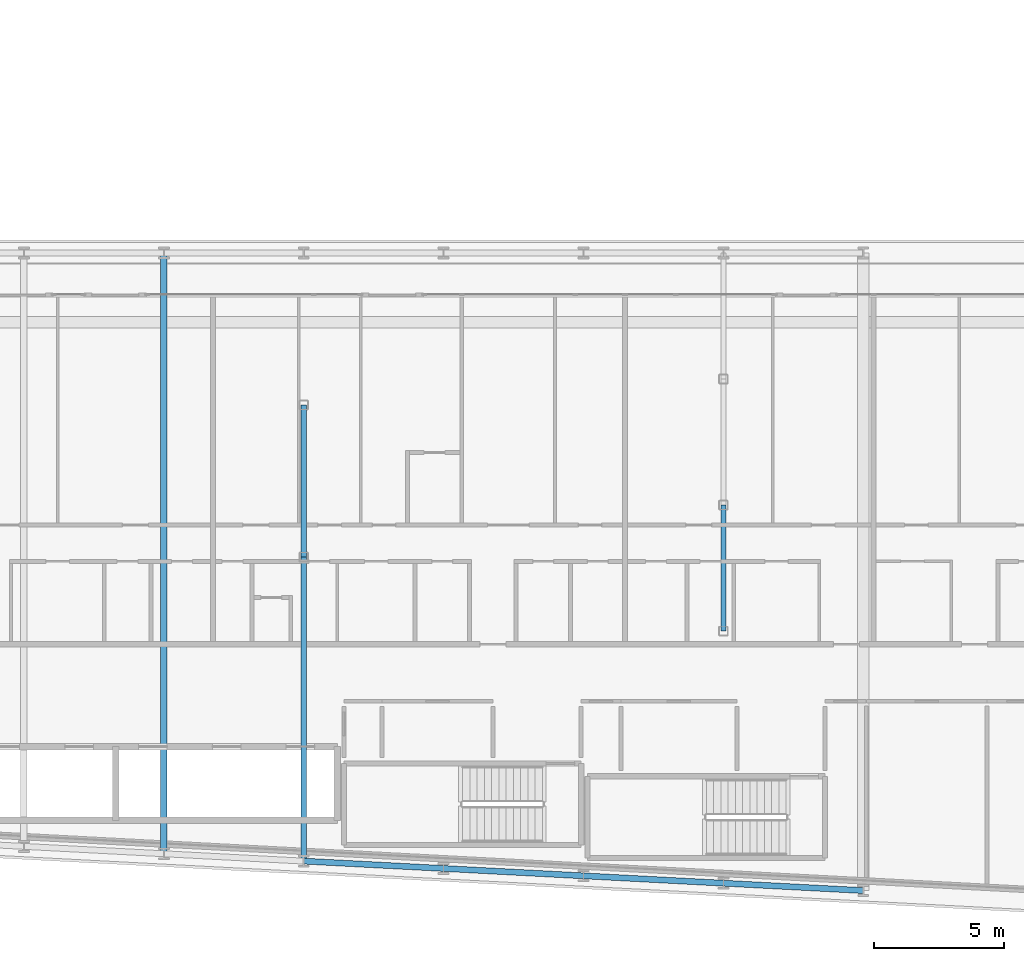
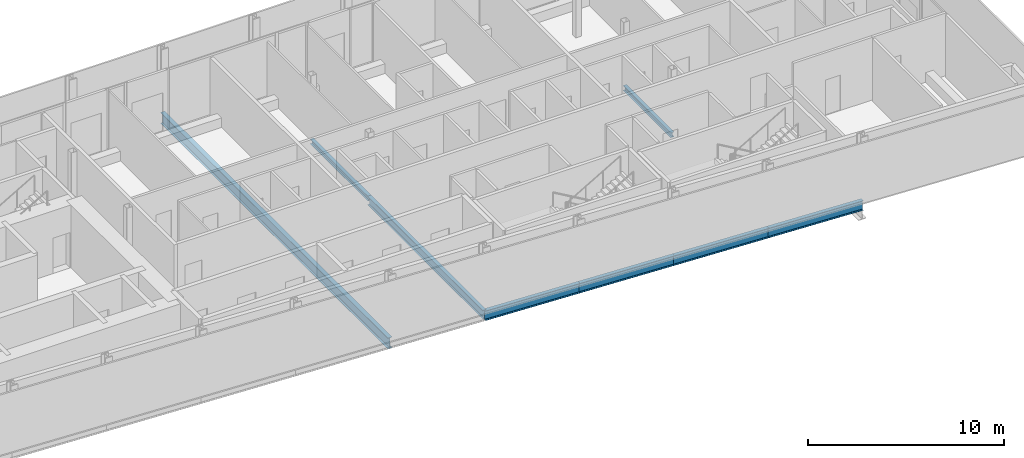
# One storey, part 5 of 28: 8 beams.
"""IFC4 building model written with IfcOpenShell, lengths in metres."""

from ifc_helpers import new_model, si_unit, direction, frame, origin, origin_2d, place, context, subcontext, project, spatial, i_section, extrude, material, material_profile, profile_set, type_object, element, save


model = new_model("IFC4")

# Units and contexts
model_context = context("Model", 3, precision=1e-05, world=origin(), true_north=direction((0.0, 1.0)))
body_context = subcontext(model_context, "Body", "Model", "MODEL_VIEW")
ifc_project = project(units=[si_unit("LENGTHUNIT", "METRE"), si_unit("AREAUNIT", "SQUARE_METRE"), si_unit("VOLUMEUNIT", "CUBIC_METRE"), si_unit("PLANEANGLEUNIT", "RADIAN"), si_unit("MASSUNIT", "GRAM", prefix="KILO")], contexts=[model_context])

# Site, building, storey
site_placement = place(None, origin())
site = spatial("IfcSite", under=ifc_project, at=site_placement, CompositionType="ELEMENT")
building_placement = place(site_placement, origin())
building = spatial("IfcBuilding", under=site, at=building_placement, Name="Kheshtan School and Residences Tower", CompositionType="ELEMENT")
storey_placement = place(building_placement, frame((0.0, 0.0, 133.10009765625)))
storey = spatial("IfcBuildingStorey", under=building, at=storey_placement, Name="L31", CompositionType="ELEMENT", Elevation=133.10009765625)

# Beams
ifc_material = material(Name="Steel ASTM A992 Grade 50", Category="steel")
ifc_material_profile_1 = material_profile(ifc_material, i_section(OverallWidth=0.202880859375, OverallDepth=0.302978515625, WebThickness=0.007568359375, FlangeThickness=0.01318359375, FilletRadius=0.009033203125, at=origin_2d()), Name="W310x60")
ifc_profile_set_1 = profile_set([ifc_material_profile_1], Name="Steel ASTM A992 Grade 50")
beam_type_1 = type_object("IfcBeamType", Name="Beam FB1 W310x60 ASTM A992 Grade 50", PredefinedType="BEAM", material=ifc_profile_set_1)
beam_1_placement = place(storey_placement, frame((85.39990234375, 31.0048828125, -0.301513671875), z_axis=(0.0, 1.0, 0.0), x_axis=(-1.0, 0.0, 0.0)))
element("IfcBeam", 1, at=beam_1_placement, inside=storey, type_object=beam_type_1, Name="Floor beam IC", PredefinedType="BEAM", context=body_context, shape_type="SweptSolid", body=[
    extrude(i_section(OverallWidth=0.202880859375, OverallDepth=0.302978515625, WebThickness=0.007568359375, FlangeThickness=0.01318359375, FilletRadius=0.009033203125, at=origin_2d()), origin(), (0.0, 0.0, 1.0), 4.865234375),
])
beam_2_placement = place(storey_placement, frame((69.199951171875, 33.863037109375, -0.301513671875), z_axis=(0.0, 1.0, 0.0), x_axis=(-1.0, 0.0, 0.0)))
element("IfcBeam", 2, at=beam_2_placement, inside=storey, type_object=beam_type_1, Name="Floor beam IC", PredefinedType="BEAM", context=body_context, shape_type="SweptSolid", body=[
    extrude(i_section(OverallWidth=0.202880859375, OverallDepth=0.302978515625, WebThickness=0.007568359375, FlangeThickness=0.01318359375, FilletRadius=0.009033203125, at=origin_2d()), origin(), (0.0, 0.0, 1.0), 5.868896484375),
])
ifc_material_profile_2 = material_profile(ifc_material, i_section(OverallWidth=0.208984375, OverallDepth=0.532958984375, WebThickness=0.01025390625, FlangeThickness=0.015625, FilletRadius=0.013916015625, at=origin_2d()), Name="W530x92")
ifc_profile_set_2 = profile_set([ifc_material_profile_2], Name="Steel ASTM A992 Grade 50")
beam_type_2 = type_object("IfcBeamType", Name="Beam FB4 W530x92 ASTM A992 Grade 50", PredefinedType="BEAM", material=ifc_profile_set_2)
beam_3_placement = place(storey_placement, frame((69.199951171875, 22.126953125, -0.41650390625), z_axis=(0.0, 1.0, 0.0), x_axis=(-1.0, 0.0, 0.0)))
element("IfcBeam", 3, at=beam_3_placement, inside=storey, type_object=beam_type_2, Name="Floor beam C014", PredefinedType="BEAM", context=body_context, shape_type="SweptSolid", body=[
    extrude(i_section(OverallWidth=0.208984375, OverallDepth=0.532958984375, WebThickness=0.01025390625, FlangeThickness=0.015625, FilletRadius=0.013916015625, at=origin_2d()), origin(), (0.0, 0.0, 1.0), 11.736083984375),
])
ifc_material_profile_3 = material_profile(ifc_material, i_section(OverallWidth=0.2529296875, OverallDepth=0.677978515625, WebThickness=0.01171875, FlangeThickness=0.016357421875, FilletRadius=0.0146484375, at=origin_2d()), Name="W690x125")
ifc_profile_set_3 = profile_set([ifc_material_profile_3], Name="Steel ASTM A992 Grade 50")
beam_type_3 = type_object("IfcBeamType", Name="Beam FB6 W690x125 ASTM A992 Grade 50", PredefinedType="BEAM", material=ifc_profile_set_3)
beam_4_placement = place(storey_placement, frame((63.800048828125, 45.60009765625, -0.489013671875), z_axis=(0.0, -1.0, 0.0), x_axis=(1.0, 0.0, 0.0)))
element("IfcBeam", 4, at=beam_4_placement, inside=storey, type_object=beam_type_3, Name="Floor beam C063", PredefinedType="BEAM", context=body_context, shape_type="SweptSolid", body=[
    extrude(i_section(OverallWidth=0.2529296875, OverallDepth=0.677978515625, WebThickness=0.01171875, FlangeThickness=0.016357421875, FilletRadius=0.0146484375, at=origin_2d()), origin(), (0.0, 0.0, 1.0), 23.189208984375),
])
ifc_material_profile_4 = material_profile(ifc_material, i_section(OverallWidth=0.22802734375, OverallDepth=0.60302734375, WebThickness=0.010498046875, FlangeThickness=0.014892578125, FilletRadius=0.013427734375, at=origin_2d()), Name="W610x101")
ifc_profile_set_4 = profile_set([ifc_material_profile_4], Name="Steel ASTM A992 Grade 50")
beam_type_4 = type_object("IfcBeamType", Name="Beam SP2 W610x101 ASTM A992 Grade 50", PredefinedType="BEAM", material=ifc_profile_set_4)
beam_5_placement = place(storey_placement, frame((90.800048828125, 20.989990234375, -0.45166015625), z_axis=(-0.998620571751, 0.05250670125, 0.0), x_axis=(-0.05250670125, -0.998620571751, 0.0)))
element("IfcBeam", 5, at=beam_5_placement, inside=storey, type_object=beam_type_4, Name="Spandrel beam C006-C008", PredefinedType="BEAM", context=body_context, shape_type="SweptSolid", body=[
    extrude(i_section(OverallWidth=0.22802734375, OverallDepth=0.60302734375, WebThickness=0.010498046875, FlangeThickness=0.014892578125, FilletRadius=0.013427734375, at=origin_2d()), origin(), (0.0, 0.0, 1.0), 5.40771484375),
])
for number, where, z_axis, x_axis, name in (
    (6, (85.39990234375, 21.27392578125, -0.45166015625), (-0.998618078766, 0.052554093665, 0.0), (-0.052554093665, -0.998618078766, 0.0), "Spandrel beam C008-C012"),
    (7, (80.0, 21.55810546875, -0.45166015625), (-0.998610961136, 0.052689166816, 0.0), (-0.052689166816, -0.998610961136, 0.0), "Spandrel beam C012-C013"),
):
    element("IfcBeam", number, at=place(storey_placement, frame(where, z_axis=z_axis, x_axis=x_axis)), inside=storey, type_object=beam_type_4, Name=name, PredefinedType="BEAM", context=body_context, shape_type="SweptSolid", body=[
        extrude(i_section(OverallWidth=0.22802734375, OverallDepth=0.60302734375, WebThickness=0.010498046875, FlangeThickness=0.014892578125, FilletRadius=0.013427734375, at=origin_2d()), origin(), (0.0, 0.0, 1.0), 5.407470703125),
    ])
beam_6_placement = place(storey_placement, frame((74.60009765625, 21.843017578125, -0.45166015625), z_axis=(-0.998620571751, 0.05250670125, 0.0), x_axis=(-0.05250670125, -0.998620571751, 0.0)))
element("IfcBeam", 8, at=beam_6_placement, inside=storey, type_object=beam_type_4, Name="Spandrel beam C013-C014", PredefinedType="BEAM", context=body_context, shape_type="SweptSolid", body=[
    extrude(i_section(OverallWidth=0.22802734375, OverallDepth=0.60302734375, WebThickness=0.010498046875, FlangeThickness=0.014892578125, FilletRadius=0.013427734375, at=origin_2d()), origin(), (0.0, 0.0, 1.0), 5.40771484375),
])

save(model, "model.ifc")
